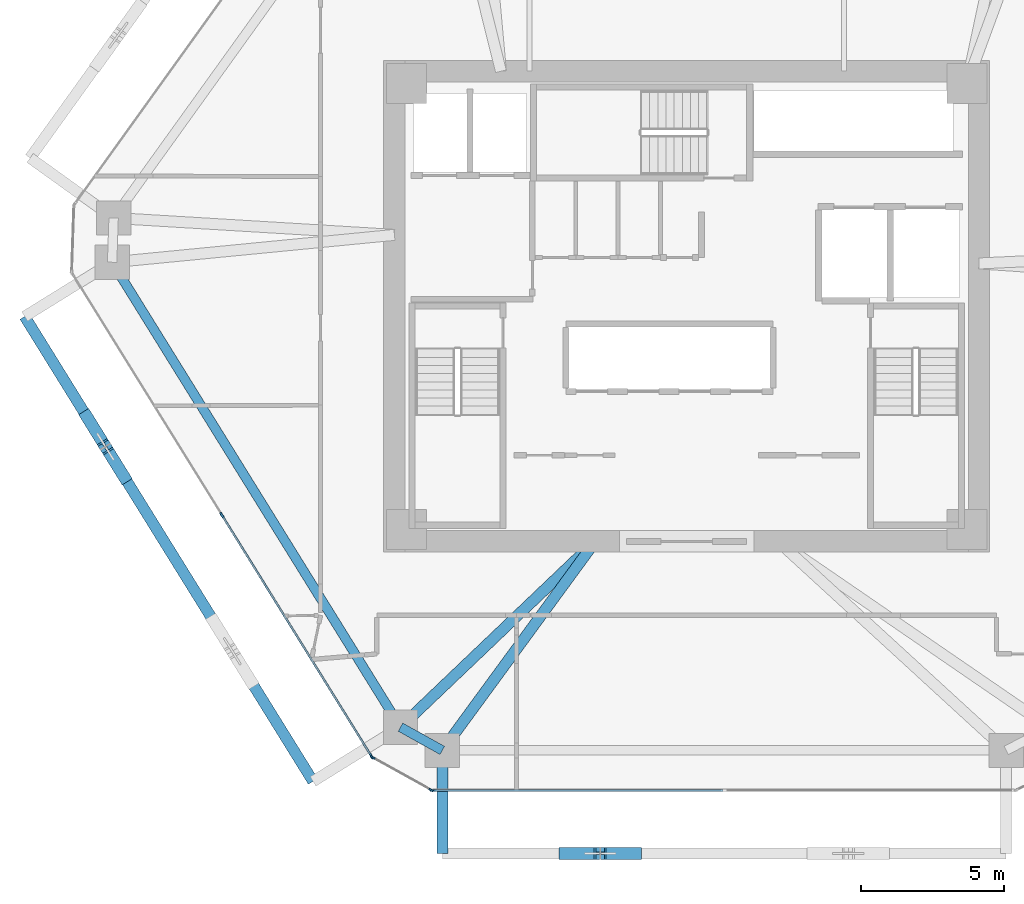
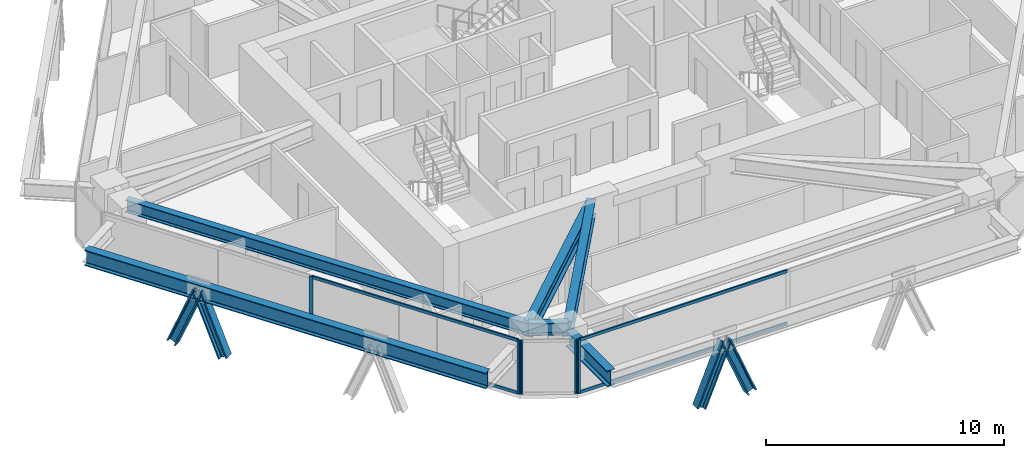
# One storey, part 2 of 17: 13 members, 6 beams, 3 elements without a shape of their own.
"""IFC4 building model written with IfcOpenShell, lengths in metres."""

from ifc_helpers import new_model, si_unit, direction, frame, origin, origin_2d, place, context, subcontext, project, spatial, rectangle, i_section, extrude, source, transform, mapped, material, layer, layer_set, material_profile, profile_set, type_object, type_shapes, element, aggregate, save


model = new_model("IFC4")

# Units and contexts
model_context = context("Model", 3, precision=1e-05, world=origin(), true_north=direction((0.0, 1.0)))
body_context = subcontext(model_context, "Body", "Model", "MODEL_VIEW")
ifc_project = project(units=[si_unit("LENGTHUNIT", "METRE"), si_unit("AREAUNIT", "SQUARE_METRE"), si_unit("VOLUMEUNIT", "CUBIC_METRE"), si_unit("PLANEANGLEUNIT", "RADIAN"), si_unit("MASSUNIT", "GRAM", prefix="KILO")], contexts=[model_context])

# Site, building, storey
site_placement = place(None, origin())
site = spatial("IfcSite", under=ifc_project, at=site_placement, CompositionType="ELEMENT")
building_placement = place(site_placement, origin())
building = spatial("IfcBuilding", under=site, at=building_placement, Name="Durnholm Broadcast Tower", CompositionType="ELEMENT")
storey_placement = place(building_placement, frame((0.0, 0.0, 137.10009765625)))
storey = spatial("IfcBuildingStorey", under=building, at=storey_placement, Name="L37", CompositionType="ELEMENT", Elevation=137.10009765625)

# Beams
ifc_material_1 = material(Name="Steel ASTM A992 Grade 50", Category="steel")
ifc_material_profile_1 = material_profile(ifc_material_1, i_section(OverallWidth=0.385009765625, OverallDepth=0.802978515625, WebThickness=0.023681640625, FlangeThickness=0.0419921875, FilletRadius=0.032958984375, at=origin_2d()), Name="W30X261")
ifc_profile_set_1 = profile_set([ifc_material_profile_1], Name="Steel ASTM A992 Grade 50")
beam_type_1 = type_object("IfcBeamType", Name="BM-EXO-TIE", PredefinedType="USERDEFINED", material=ifc_profile_set_1)
shared_shape_1 = source(origin(), body_context, "Body", "SweptSolid", [
    extrude(i_section(OverallWidth=0.385009765625, OverallDepth=0.802978515625, WebThickness=0.023681640625, FlangeThickness=0.0419921875, FilletRadius=0.032958984375, at=origin_2d()), origin(), (0.0, 0.0, 1.0), 3.4560546875),
])
beam_1_placement = place(storey_placement, frame((-8.552001953125, -15.680908203125, 2.008544921875), z_axis=(0.0, -1.0, 0.0), x_axis=(1.0, 0.0, 0.0)))
element("IfcBeam", 1, at=beam_1_placement, inside=storey, type_object=beam_type_1, Name="L37 exoskeleton stand-off tie bracket F1.1", ObjectType="GIRDER", PredefinedType="USERDEFINED", context=body_context, shape_type="MappedRepresentation", body=[
    mapped(shared_shape_1, transform((0.0, 0.0, 0.0), x_axis=(1.0, 0.0, 0.0), y_axis=(0.0, 1.0, 0.0), z_axis=(0.0, 0.0, 1.0), scale=1.0)),
])
ifc_material_profile_2 = material_profile(ifc_material_1, i_section(OverallWidth=0.3291015625, OverallDepth=0.635009765625, WebThickness=0.017822265625, FlangeThickness=0.031005859375, FilletRadius=0.02783203125, at=origin_2d()), Name="W24X162")
ifc_profile_set_2 = profile_set([ifc_material_profile_2], Name="Steel ASTM A992 Grade 50")
beam_type_2 = type_object("IfcBeamType", Name="STL-SP-W24X162", PredefinedType="SPANDREL", material=ifc_profile_set_2)
shared_shape_2 = source(origin(), body_context, "Body", "SweptSolid", [
    extrude(i_section(OverallWidth=0.3291015625, OverallDepth=0.635009765625, WebThickness=0.017822265625, FlangeThickness=0.031005859375, FilletRadius=0.02783203125, at=origin_2d()), origin(), (0.0, 0.0, 1.0), 19.1396484375),
])
beam_2_placement = place(storey_placement, frame((-10.01416015625, -14.723388671875, 2.427490234375), z_axis=(-0.527105324954, 0.849799962582, 0.0), x_axis=(-0.849799962582, -0.527105324954, 0.0)))
element("IfcBeam", 2, at=beam_2_placement, inside=storey, type_object=beam_type_2, Name="L37 perimeter spandrel girder 01", PredefinedType="SPANDREL", context=body_context, shape_type="MappedRepresentation", body=[
    mapped(shared_shape_2, transform((0.0, 0.0, 0.0), x_axis=(1.0, 0.0, 0.0), y_axis=(0.0, 1.0, 0.0), z_axis=(0.0, 0.0, 1.0), scale=1.0)),
])
shared_shape_3 = source(origin(), body_context, "Body", "SweptSolid", [
    extrude(i_section(OverallWidth=0.3291015625, OverallDepth=0.635009765625, WebThickness=0.017822265625, FlangeThickness=0.031005859375, FilletRadius=0.02783203125, at=origin_2d()), origin(), (0.0, 0.0, 1.0), 1.67333984375),
])
type_shapes(beam_type_2, [shared_shape_2, shared_shape_3])
beam_3_placement = place(storey_placement, frame((-8.552001953125, -15.537109375, 2.427490234375), z_axis=(-0.873799169188, 0.486286964586, 0.0), x_axis=(-0.486286964586, -0.873799169188, 0.0)))
element("IfcBeam", 3, at=beam_3_placement, inside=storey, type_object=beam_type_2, Name="L37 perimeter spandrel girder 12", PredefinedType="SPANDREL", context=body_context, shape_type="MappedRepresentation", body=[
    mapped(shared_shape_3, transform((0.0, 0.0, 0.0), x_axis=(1.0, 0.0, 0.0), y_axis=(0.0, 1.0, 0.0), z_axis=(0.0, 0.0, 1.0), scale=1.0)),
])
ifc_material_profile_3 = material_profile(ifc_material_1, i_section(OverallWidth=0.385009765625, OverallDepth=0.802978515625, WebThickness=0.023681640625, FlangeThickness=0.0419921875, FilletRadius=0.032958984375, at=origin_2d()), Name="W30X261")
ifc_profile_set_3 = profile_set([ifc_material_profile_3], Name="Steel ASTM A992 Grade 50")
beam_type_3 = type_object("IfcBeamType", Name="STL-GR-W30X261", PredefinedType="USERDEFINED", material=ifc_profile_set_3)
shared_shape_4 = source(origin(), body_context, "Body", "SweptSolid", [
    extrude(i_section(OverallWidth=0.385009765625, OverallDepth=0.802978515625, WebThickness=0.023681640625, FlangeThickness=0.0419921875, FilletRadius=0.032958984375, at=origin_2d()), origin(), (0.0, 0.0, 1.0), 9.416015625),
])
beam_4_placement = place(storey_placement, frame((-3.199951171875, -8.22509765625, 2.343505859375), z_axis=(-0.723683335801, -0.690132182617, 0.0), x_axis=(0.690132182617, -0.723683335801, 0.0)))
element("IfcBeam", 4, at=beam_4_placement, inside=storey, type_object=beam_type_3, Name="L37 radial primary floor girder 01", ObjectType="GIRDER", PredefinedType="USERDEFINED", context=body_context, shape_type="MappedRepresentation", body=[
    mapped(shared_shape_4, transform((0.0, 0.0, 0.0), x_axis=(1.0, 0.0, 0.0), y_axis=(0.0, 1.0, 0.0), z_axis=(0.0, 0.0, 1.0), scale=1.0)),
])
shared_shape_5 = source(origin(), body_context, "Body", "SweptSolid", [
    extrude(i_section(OverallWidth=0.385009765625, OverallDepth=0.802978515625, WebThickness=0.023681640625, FlangeThickness=0.0419921875, FilletRadius=0.032958984375, at=origin_2d()), origin(), (0.0, 0.0, 1.0), 9.0615234375),
])
type_shapes(beam_type_3, [shared_shape_4, shared_shape_5])
beam_5_placement = place(storey_placement, frame((-3.199951171875, -8.22509765625, 2.343505859375), z_axis=(-0.590639241086, -0.806935739008, 0.0), x_axis=(0.806935739008, -0.590639241086, 0.0)))
element("IfcBeam", 5, at=beam_5_placement, inside=storey, type_object=beam_type_3, Name="L37 radial primary floor girder 12", ObjectType="GIRDER", PredefinedType="USERDEFINED", context=body_context, shape_type="MappedRepresentation", body=[
    mapped(shared_shape_5, transform((0.0, 0.0, 0.0), x_axis=(1.0, 0.0, 0.0), y_axis=(0.0, 1.0, 0.0), z_axis=(0.0, 0.0, 1.0), scale=1.0)),
])
shared_shape_6 = source(origin(), body_context, "Body", "SweptSolid", [
    extrude(i_section(OverallWidth=0.385009765625, OverallDepth=0.802978515625, WebThickness=0.023681640625, FlangeThickness=0.0419921875, FilletRadius=0.032958984375, at=origin_2d()), origin(), (0.0, 0.0, 1.0), 19.139404296875),
])
type_shapes(beam_type_1, [shared_shape_1, shared_shape_6])
beam_6_placement = place(storey_placement, frame((-23.162109375, -0.356201171875, 2.008544921875), z_axis=(0.527111038734, -0.84979641847, 0.0), x_axis=(0.84979641847, 0.527111038734, 0.0)))
element("IfcBeam", 6, at=beam_6_placement, inside=storey, type_object=beam_type_1, Name="L37 exoskeleton collector spandrel F6", PredefinedType="SPANDREL", context=body_context, shape_type="MappedRepresentation", body=[
    mapped(shared_shape_6, transform((0.0, 0.0, 0.0), x_axis=(1.0, 0.0, 0.0), y_axis=(0.0, 1.0, 0.0), z_axis=(0.0, 0.0, 1.0), scale=1.0)),
])

# Members
ifc_material_2 = material(Name="Steel ASTM A913 Grade 65", Category="steel")
ifc_material_profile_4 = material_profile(ifc_material_2, i_section(OverallWidth=0.41845703125, OverallDepth=0.455078125, WebThickness=0.0419921875, FlangeThickness=0.067626953125, FilletRadius=0.030517578125, at=origin_2d()), Name="W14X370")
ifc_profile_set_4 = profile_set([ifc_material_profile_4], Name="Steel ASTM A913 Grade 65")
member_type_1 = type_object("IfcMemberType", Name="STL-DG-W14X370", PredefinedType="BRACE", material=ifc_profile_set_4)
shared_shape_7 = source(origin(), body_context, "Body", "SweptSolid", [
    extrude(i_section(OverallWidth=0.41845703125, OverallDepth=0.455078125, WebThickness=0.0419921875, FlangeThickness=0.067626953125, FilletRadius=0.030517578125, at=origin_2d()), origin(), (0.0, 0.0, 1.0), 3.243896484375),
])
for number, where, z_axis, x_axis, name in (
    (7, (-4.261962890625, -19.136962890625, -0.991455078125), (0.380378804119, 0.0, 0.924830776616), (0.0, 1.0, 0.0), "L37 stand-off diagrid brace F1.D1.1"),
    (8, (-1.794189453125, -19.136962890625, -0.991455078125), (-0.380378804119, 0.0, 0.924830776616), (0.0, -1.0, 0.0), "L37 stand-off diagrid brace F1.D1.2"),
    (9, (-20.987548828125, -3.86181640625, -0.991455078125), (0.200499851569, -0.323253326761, 0.924828144175), (0.849805205368, 0.527096872433, 0.0), "L37 stand-off diagrid brace F6.D1.1"),
):
    element("IfcMember", number, at=place(storey_placement, frame(where, z_axis=z_axis, x_axis=x_axis)), inside=storey, type_object=member_type_1, Name=name, PredefinedType="BRACE", context=body_context, shape_type="MappedRepresentation", body=[
        mapped(shared_shape_7, transform((0.0, 0.0, 0.0), x_axis=(1.0, 0.0, 0.0), y_axis=(0.0, 1.0, 0.0), z_axis=(0.0, 0.0, 1.0), scale=1.0)),
    ])
shared_shape_8 = source(origin(), body_context, "Body", "SweptSolid", [
    extrude(i_section(OverallWidth=0.41845703125, OverallDepth=0.455078125, WebThickness=0.0419921875, FlangeThickness=0.067626953125, FilletRadius=0.030517578125, at=origin_2d()), origin(), (0.0, 0.0, 1.0), 3.24365234375),
])
type_shapes(member_type_1, [shared_shape_7, shared_shape_8])
member_1_placement = place(storey_placement, frame((-19.686767578125, -5.958740234375, -0.991455078125), z_axis=(-0.200504729124, 0.323185925998, 0.924850642447), x_axis=(-0.849750220063, -0.527185511469, 0.0)))
element("IfcMember", 10, at=member_1_placement, inside=storey, type_object=member_type_1, Name="L37 stand-off diagrid brace F6.D1.2", PredefinedType="BRACE", context=body_context, shape_type="MappedRepresentation", body=[
    mapped(shared_shape_8, transform((0.0, 0.0, 0.0), x_axis=(1.0, 0.0, 0.0), y_axis=(0.0, 1.0, 0.0), z_axis=(0.0, 0.0, 1.0), scale=1.0)),
])

# Curtain wall, members
ifc_material_3 = material(Name="Aluminium and Solar Control IGU", Category="aluminium")
ifc_layer_1 = layer(ifc_material_3, 0.1650390625)
ifc_layer_set_1 = layer_set([ifc_layer_1], Name="Aluminium and Solar Control IGU")
curtain_wall_type_1 = type_object("IfcCurtainWallType", Name="CW-SYS-5", PredefinedType="NOTDEFINED", material=ifc_layer_set_1)
curtain_wall_1_placement = place(storey_placement, origin())
curtain_wall_1 = element("IfcCurtainWall", 11, at=curtain_wall_1_placement, inside=storey, type_object=curtain_wall_type_1, Name="L37 curtain wall CW-CORNER CW-L37-CRN-11", PredefinedType="NOTDEFINED")
ifc_material_4 = material(Name="Aluminium 6063-T6", Category="aluminium")
ifc_material_profile_5 = material_profile(ifc_material_4, rectangle(XDim=0.06494140625, YDim=0.1650390625, at=origin_2d()), Name="CWM65X165")
ifc_profile_set_5 = profile_set([ifc_material_profile_5], Name="Aluminium 6063-T6")
member_type_2 = type_object("IfcMemberType", Name="CW-SYS-5-MUL", PredefinedType="MULLION", material=ifc_profile_set_5)
shared_shape_9 = source(origin(), body_context, "Body", "SweptSolid", [
    extrude(rectangle(XDim=0.06494140625, YDim=0.1650390625, at=origin_2d()), origin(), (0.0, 0.0, 1.0), 2.760009765625),
])
type_shapes(member_type_2, [shared_shape_9])
member_2_placement = place(storey_placement, frame((-8.943603515625, -16.921142578125, 0.0), z_axis=(0.0, 0.0, 1.0), x_axis=(-0.486244224192, -0.873822953715, 0.0)))
member_2 = element("IfcMember", 12, at=member_2_placement, type_object=member_type_2, Name="CW-CORNER mullion 1", PredefinedType="MULLION", context=body_context, shape_type="MappedRepresentation", body=[
    mapped(shared_shape_9, transform((0.0, 0.0, 0.0), x_axis=(1.0, 0.0, 0.0), y_axis=(0.0, 1.0, 0.0), z_axis=(0.0, 0.0, 1.0), scale=1.0)),
])
member_3_placement = place(storey_placement, frame((-10.98388671875, -15.785888671875, 0.0), z_axis=(0.0, 0.0, 1.0), x_axis=(-0.486244224192, -0.873822953715, 0.0)))
member_3 = element("IfcMember", 13, at=member_3_placement, type_object=member_type_2, Name="CW-CORNER mullion 2", PredefinedType="MULLION", context=body_context, shape_type="MappedRepresentation", body=[
    mapped(shared_shape_9, transform((0.0, 0.0, 0.0), x_axis=(1.0, 0.0, 0.0), y_axis=(0.0, 1.0, 0.0), z_axis=(0.0, 0.0, 1.0), scale=1.0)),
])
aggregate(curtain_wall_1, [member_2, member_3])

# Curtain wall, member
ifc_layer_2 = layer(ifc_material_3, 0.18994140625)
ifc_layer_set_2 = layer_set([ifc_layer_2], Name="Aluminium and Solar Control IGU")
curtain_wall_type_2 = type_object("IfcCurtainWallType", Name="CW-SYS-3", PredefinedType="NOTDEFINED", material=ifc_layer_set_2)
curtain_wall_2_placement = place(storey_placement, origin())
curtain_wall_2 = element("IfcCurtainWall", 14, at=curtain_wall_2_placement, inside=storey, type_object=curtain_wall_type_2, Name="L37 curtain wall CW-Z12-VIS CW-L37-F10", PredefinedType="NOTDEFINED")
ifc_material_profile_6 = material_profile(ifc_material_4, rectangle(XDim=0.070068359375, YDim=0.18994140625, at=origin_2d()), Name="CWM70X190")
ifc_profile_set_6 = profile_set([ifc_material_profile_6], Name="Aluminium 6063-T6")
member_type_3 = type_object("IfcMemberType", Name="CW-SYS-3-MUL", PredefinedType="MULLION", material=ifc_profile_set_6)
shared_shape_10 = source(origin(), body_context, "Body", "SweptSolid", [
    extrude(rectangle(XDim=0.070068359375, YDim=0.18994140625, at=origin_2d()), origin(), (0.0, 0.0, 1.0), 2.760009765625),
])
type_shapes(member_type_3, [shared_shape_10])
member_4_placement = place(storey_placement, frame((-8.880126953125, -16.93701171875, 0.0), z_axis=(0.0, 0.0, 1.0), x_axis=(0.0, -1.0, 0.0)))
member_4 = element("IfcMember", 15, at=member_4_placement, type_object=member_type_3, Name="CW-Z12-VIS mullion 3", PredefinedType="MULLION", context=body_context, shape_type="MappedRepresentation", body=[
    mapped(shared_shape_10, transform((0.0, 0.0, 0.0), x_axis=(1.0, 0.0, 0.0), y_axis=(0.0, 1.0, 0.0), z_axis=(0.0, 0.0, 1.0), scale=1.0)),
])

# Curtain wall, members
curtain_wall_3_placement = place(storey_placement, origin())
curtain_wall_3 = element("IfcCurtainWall", 16, at=curtain_wall_3_placement, inside=storey, type_object=curtain_wall_type_2, Name="L37 curtain wall CW-Z12-VIS CW-L37-F12", PredefinedType="NOTDEFINED")
member_5_placement = place(storey_placement, frame((-11.03076171875, -15.740234375, 0.0), z_axis=(0.0, 0.0, 1.0), x_axis=(-0.849799925229, -0.527105385176, 0.0)))
member_5 = element("IfcMember", 17, at=member_5_placement, type_object=member_type_3, Name="CW-Z12-VIS mullion 1", PredefinedType="MULLION", context=body_context, shape_type="MappedRepresentation", body=[
    mapped(shared_shape_10, transform((0.0, 0.0, 0.0), x_axis=(1.0, 0.0, 0.0), y_axis=(0.0, 1.0, 0.0), z_axis=(0.0, 0.0, 1.0), scale=1.0)),
])
member_6_placement = place(storey_placement, frame((-16.264404296875, -7.302734375, 0.0), z_axis=(0.0, 0.0, 1.0), x_axis=(-0.849799925229, -0.527105385176, 0.0)))
member_6 = element("IfcMember", 18, at=member_6_placement, type_object=member_type_3, Name="CW-Z12-VIS mullion 2", PredefinedType="MULLION", context=body_context, shape_type="MappedRepresentation", body=[
    mapped(shared_shape_10, transform((0.0, 0.0, 0.0), x_axis=(1.0, 0.0, 0.0), y_axis=(0.0, 1.0, 0.0), z_axis=(0.0, 0.0, 1.0), scale=1.0)),
])

# Member
ifc_material_profile_7 = material_profile(ifc_material_4, rectangle(XDim=0.070068359375, YDim=0.14990234375, at=origin_2d()), Name="CWT70X150")
ifc_profile_set_7 = profile_set([ifc_material_profile_7], Name="Aluminium 6063-T6")
member_type_4 = type_object("IfcMemberType", Name="CW-SYS-3-TRN", PredefinedType="USERDEFINED", material=ifc_profile_set_7)
shared_shape_11 = source(origin(), body_context, "Body", "SweptSolid", [
    extrude(rectangle(XDim=0.070068359375, YDim=0.14990234375, at=origin_2d()), origin(), (0.0, 0.0, 1.0), 10.109619140625),
])
member_7_placement = place(storey_placement, frame((1.264404296875, -16.93701171875, 0.034912109375), z_axis=(-1.0, 0.0, 0.0), x_axis=(0.0, -1.0, 0.0)))
member_7 = element("IfcMember", 19, at=member_7_placement, type_object=member_type_4, Name="CW-Z12-VIS transom 2.1", ObjectType="TRANSOM", PredefinedType="USERDEFINED", context=body_context, shape_type="MappedRepresentation", body=[
    mapped(shared_shape_11, transform((0.0, 0.0, 0.0), x_axis=(1.0, 0.0, 0.0), y_axis=(0.0, 1.0, 0.0), z_axis=(0.0, 0.0, 1.0), scale=1.0)),
])

member_8_placement = place(storey_placement, frame((1.264404296875, -16.93701171875, 2.724853515625), z_axis=(-1.0, 0.0, 0.0), x_axis=(0.0, -1.0, 0.0)))
member_8 = element("IfcMember", 20, at=member_8_placement, type_object=member_type_4, Name="CW-Z12-VIS transom 2.2", ObjectType="TRANSOM", PredefinedType="USERDEFINED", context=body_context, shape_type="MappedRepresentation", body=[
    mapped(shared_shape_11, transform((0.0, 0.0, 0.0), x_axis=(1.0, 0.0, 0.0), y_axis=(0.0, 1.0, 0.0), z_axis=(0.0, 0.0, 1.0), scale=1.0)),
])

aggregate(curtain_wall_2, [member_4, member_7, member_8])

shared_shape_12 = source(origin(), body_context, "Body", "SweptSolid", [
    extrude(rectangle(XDim=0.070068359375, YDim=0.14990234375, at=origin_2d()), origin(), (0.0, 0.0, 1.0), 9.858642578125),
])
type_shapes(member_type_4, [shared_shape_11, shared_shape_12])
member_9_placement = place(storey_placement, frame((-11.04931640625, -15.71044921875, 0.034912109375), z_axis=(-0.527102081419, 0.849801974441, 0.0), x_axis=(-0.849801974441, -0.527102081419, 0.0)))
member_9 = element("IfcMember", 21, at=member_9_placement, type_object=member_type_4, Name="CW-Z12-VIS transom 1.1", ObjectType="TRANSOM", PredefinedType="USERDEFINED", context=body_context, shape_type="MappedRepresentation", body=[
    mapped(shared_shape_12, transform((0.0, 0.0, 0.0), x_axis=(1.0, 0.0, 0.0), y_axis=(0.0, 1.0, 0.0), z_axis=(0.0, 0.0, 1.0), scale=1.0)),
])

member_10_placement = place(storey_placement, frame((-11.04931640625, -15.71044921875, 2.724853515625), z_axis=(-0.527102081419, 0.849801974441, 0.0), x_axis=(-0.849801974441, -0.527102081419, 0.0)))
member_10 = element("IfcMember", 22, at=member_10_placement, type_object=member_type_4, Name="CW-Z12-VIS transom 1.2", ObjectType="TRANSOM", PredefinedType="USERDEFINED", context=body_context, shape_type="MappedRepresentation", body=[
    mapped(shared_shape_12, transform((0.0, 0.0, 0.0), x_axis=(1.0, 0.0, 0.0), y_axis=(0.0, 1.0, 0.0), z_axis=(0.0, 0.0, 1.0), scale=1.0)),
])

aggregate(curtain_wall_3, [member_5, member_6, member_9, member_10])

save(model, "model.ifc")
